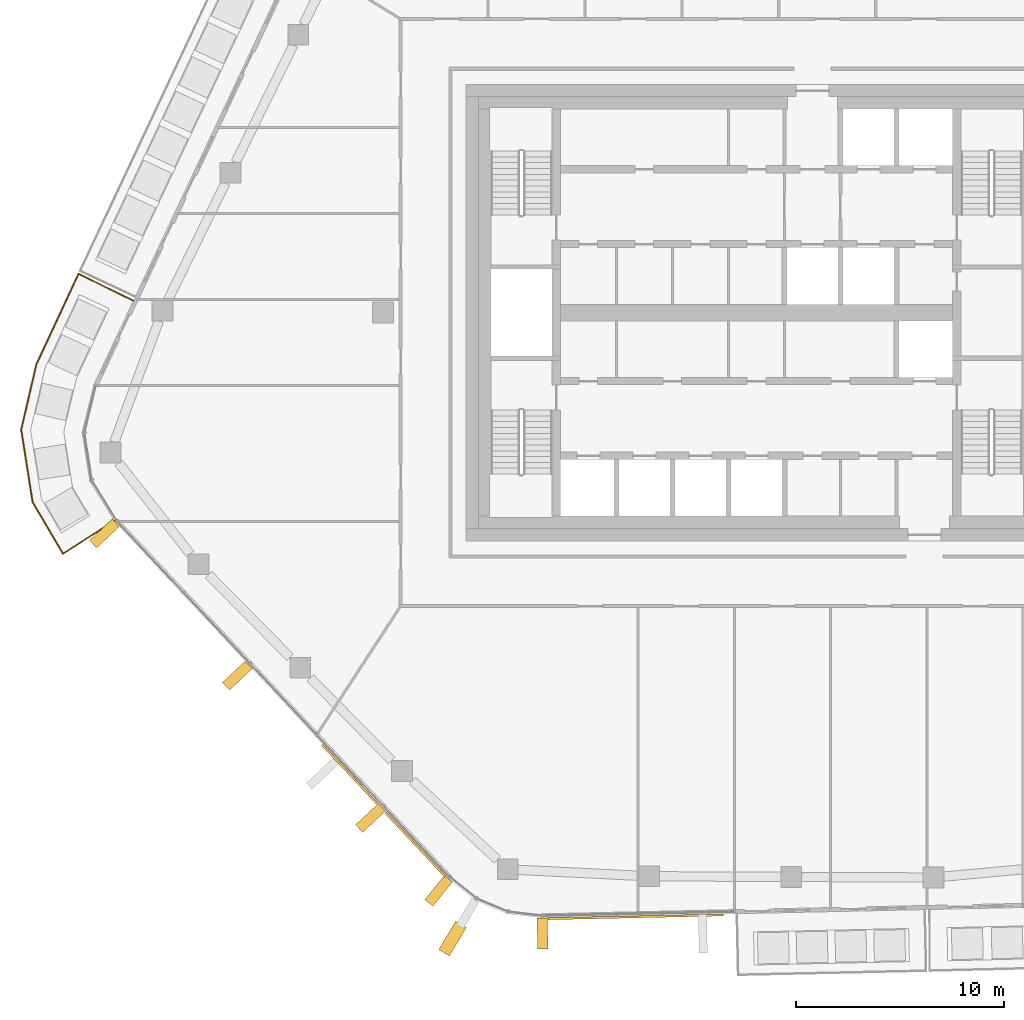
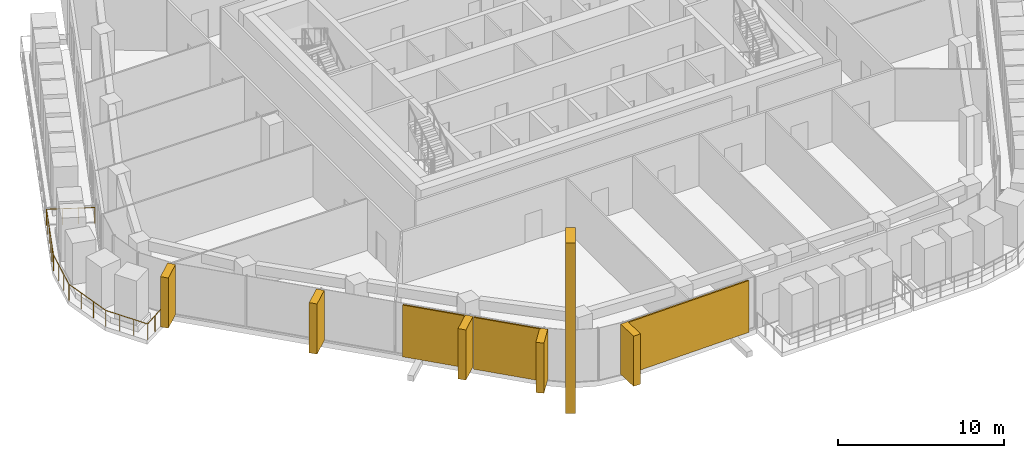
# One storey, part 18 of 24: 9 coverings, 1 railing, 3 elements without a shape of their own.
"""IFC4 building model written with IfcOpenShell, lengths in metres."""

from ifc_helpers import new_model, si_unit, direction, frame, origin, origin_2d, place, context, subcontext, project, spatial, rectangle, circle, extrude, material, layer, layer_set, material_profile, profile_set, type_object, element, aggregate, save


model = new_model("IFC4")

# Units and contexts
model_context = context("Model", 3, precision=1e-05, world=origin(), true_north=direction((0.0, 1.0)))
body_context = subcontext(model_context, "Body", "Model", "MODEL_VIEW")
ifc_project = project(units=[si_unit("LENGTHUNIT", "METRE"), si_unit("AREAUNIT", "SQUARE_METRE"), si_unit("VOLUMEUNIT", "CUBIC_METRE"), si_unit("PLANEANGLEUNIT", "RADIAN"), si_unit("MASSUNIT", "GRAM", prefix="KILO")], contexts=[model_context])

# Site, building, storey
site_placement = place(None, origin())
site = spatial("IfcSite", under=ifc_project, at=site_placement, CompositionType="ELEMENT")
building_placement = place(site_placement, origin())
building = spatial("IfcBuilding", under=site, at=building_placement, Name="Dongbaek Canopy Tower", CompositionType="ELEMENT")
storey_placement = place(building_placement, frame((0.0, 0.0, 332.0)))
storey = spatial("IfcBuildingStorey", under=building, at=storey_placement, Name="L71", CompositionType="ELEMENT", Elevation=332.0)

# Railing
ifc_material_1 = material(Name="Stainless steel", Category="steel")
railing_type = type_object("IfcRailingType", Name="Balcony balustrade 1200", PredefinedType="BALUSTRADE", material=ifc_material_1)
railing_placement = place(storey_placement, frame((-30.02685546875, 0.56884765625, 0.0)))
element("IfcRailing", 1, at=railing_placement, inside=storey, type_object=railing_type, Name="Balcony guard L71 7", PredefinedType="BALUSTRADE", context=body_context, shape_type="SweptSolid", body=[
    extrude(circle(Radius=0.02392578125, at=origin_2d()), frame((0.0, 0.0, 1.17578125), z_axis=(-0.896098023719, 0.443856206319, 0.0), x_axis=(-0.443856206319, -0.896098023719, 0.0)), (0.0, 0.0, 1.0), 2.9404296875),
    extrude(circle(Radius=0.02392578125, at=origin_2d()), frame((-2.635009765625, 1.30517578125, 1.17578125), z_axis=(-0.422749552382, -0.906246553627, 0.0), x_axis=(0.906246553627, -0.422749552382, 0.0)), (0.0, 0.0, 1.0), 4.818603515625),
    extrude(circle(Radius=0.02392578125, at=origin_2d()), frame((-4.672119140625, -3.061767578125, 1.17578125), z_axis=(-0.225701783137, -0.974196440708, 0.0), x_axis=(0.974196440708, -0.225701783137, 0.0)), (0.0, 0.0, 1.0), 3.238525390625),
    extrude(circle(Radius=0.02392578125, at=origin_2d()), frame((-5.403076171875, -6.216796875, 1.17578125), z_axis=(0.155536017693, -0.98783022185, 0.0), x_axis=(0.98783022185, 0.155536017693, 0.0)), (0.0, 0.0, 1.0), 3.527099609375),
    extrude(circle(Radius=0.02392578125, at=origin_2d()), frame((-4.8544921875, -9.700927734375, 1.17578125), z_axis=(0.50841134309, -0.861114339805, 0.0), x_axis=(0.861114339805, 0.50841134309, 0.0)), (0.0, 0.0, 1.0), 2.8974609375),
    extrude(circle(Radius=0.02392578125, at=origin_2d()), frame((-3.38134765625, -12.196044921875, 1.17578125), z_axis=(0.839921908377, 0.542707276373, 0.0), x_axis=(-0.542707276373, 0.839921908377, 0.0)), (0.0, 0.0, 1.0), 2.940673828125),
    extrude(circle(Radius=0.02099609375, at=origin_2d()), origin(), (0.0, 0.0, 1.0), 1.15185546875),
    extrude(circle(Radius=0.02099609375, at=origin_2d()), frame((-0.87841796875, 0.43505859375, 0.0)), (0.0, 0.0, 1.0), 1.15185546875),
    extrude(circle(Radius=0.02099609375, at=origin_2d()), frame((-1.756591796875, 0.8701171875, 0.0)), (0.0, 0.0, 1.0), 1.15185546875),
    extrude(circle(Radius=0.02099609375, at=origin_2d()), frame((-2.635009765625, 1.30517578125, 0.0)), (0.0, 0.0, 1.0), 1.15185546875),
    extrude(circle(Radius=0.02099609375, at=origin_2d()), frame((-3.04248046875, 0.431884765625, 0.0)), (0.0, 0.0, 1.0), 1.15185546875),
    extrude(circle(Radius=0.02099609375, at=origin_2d()), frame((-3.449951171875, -0.441650390625, 0.0)), (0.0, 0.0, 1.0), 1.15185546875),
    extrude(circle(Radius=0.02099609375, at=origin_2d()), frame((-3.857177734375, -1.31494140625, 0.0)), (0.0, 0.0, 1.0), 1.15185546875),
    extrude(circle(Radius=0.02099609375, at=origin_2d()), frame((-4.2646484375, -2.1884765625, 0.0)), (0.0, 0.0, 1.0), 1.15185546875),
    extrude(circle(Radius=0.02099609375, at=origin_2d()), frame((-4.672119140625, -3.061767578125, 0.0)), (0.0, 0.0, 1.0), 1.15185546875),
    extrude(circle(Radius=0.02099609375, at=origin_2d()), frame((-4.915771484375, -4.113525390625, 0.0)), (0.0, 0.0, 1.0), 1.15185546875),
    extrude(circle(Radius=0.02099609375, at=origin_2d()), frame((-5.159423828125, -5.1650390625, 0.0)), (0.0, 0.0, 1.0), 1.15185546875),
    extrude(circle(Radius=0.02099609375, at=origin_2d()), frame((-5.403076171875, -6.216796875, 0.0)), (0.0, 0.0, 1.0), 1.15185546875),
    extrude(circle(Radius=0.02099609375, at=origin_2d()), frame((-5.22021484375, -7.378173828125, 0.0)), (0.0, 0.0, 1.0), 1.15185546875),
    extrude(circle(Radius=0.02099609375, at=origin_2d()), frame((-5.037353515625, -8.53955078125, 0.0)), (0.0, 0.0, 1.0), 1.15185546875),
    extrude(circle(Radius=0.02099609375, at=origin_2d()), frame((-4.8544921875, -9.700927734375, 0.0)), (0.0, 0.0, 1.0), 1.15185546875),
    extrude(circle(Radius=0.02099609375, at=origin_2d()), frame((-4.363525390625, -10.53271484375, 0.0)), (0.0, 0.0, 1.0), 1.15185546875),
    extrude(circle(Radius=0.02099609375, at=origin_2d()), frame((-3.872314453125, -11.3642578125, 0.0)), (0.0, 0.0, 1.0), 1.15185546875),
    extrude(circle(Radius=0.02099609375, at=origin_2d()), frame((-3.38134765625, -12.196044921875, 0.0)), (0.0, 0.0, 1.0), 1.15185546875),
    extrude(circle(Radius=0.02099609375, at=origin_2d()), frame((-2.55810546875, -11.6640625, 0.0)), (0.0, 0.0, 1.0), 1.15185546875),
    extrude(circle(Radius=0.02099609375, at=origin_2d()), frame((-1.734619140625, -11.132080078125, 0.0)), (0.0, 0.0, 1.0), 1.15185546875),
    extrude(circle(Radius=0.02099609375, at=origin_2d()), frame((-0.911376953125, -10.60009765625, 0.0)), (0.0, 0.0, 1.0), 1.15185546875),
])

# Curtain wall, covering
ifc_material_2 = material(Name="Aluminium 6063-T6 pale anodised", Category="aluminium")
ifc_layer_1 = layer(ifc_material_2, 0.199951171875)
ifc_layer_set_1 = layer_set([ifc_layer_1], Name="CW-1 unitised tower curtain wall")
curtain_wall_type = type_object("IfcCurtainWallType", Name="CW-1 unitised tower curtain wall", PredefinedType="NOTDEFINED", material=ifc_layer_set_1)
curtain_wall_1_placement = place(storey_placement, origin())
curtain_wall_1 = element("IfcCurtainWall", 2, at=curtain_wall_1_placement, inside=storey, type_object=curtain_wall_type, Name="CW-1 curtain wall K4.1", PredefinedType="NOTDEFINED")
ifc_material_3 = material(Name="Aluminium 6063-T6 pale metal fin", Category="aluminium")
ifc_material_profile_1 = material_profile(ifc_material_3, rectangle(XDim=1.60009765625, YDim=0.60009765625, at=origin_2d()), Name="Corner fin CN1 600 x 1600 pale metal")
ifc_profile_set_1 = profile_set([ifc_material_profile_1], Name="Aluminium 6063-T6 pale metal fin")
covering_type_1 = type_object("IfcCoveringType", Name="Corner fin CN1 600 x 1600 pale metal", PredefinedType="CLADDING", material=ifc_profile_set_1)
covering_1_placement = place(storey_placement, frame((-14.645263671875, -30.170654296875, -0.18994140625), z_axis=(0.0, 0.0, 1.0), x_axis=(-0.513063436245, -0.85835069196, 0.0)))
covering_1 = element("IfcCovering", 3, at=covering_1_placement, type_object=covering_type_1, Name="Corner fin L71 L73 K4", PredefinedType="CLADDING", context=body_context, shape_type="SweptSolid", body=[
    extrude(rectangle(XDim=1.60009765625, YDim=0.60009765625, at=origin_2d()), origin(), (0.0, 0.0, 1.0), 12.579833984375),
])

# Curtain wall, coverings
curtain_wall_2_placement = place(storey_placement, origin())
curtain_wall_2 = element("IfcCurtainWall", 4, at=curtain_wall_2_placement, inside=storey, type_object=curtain_wall_type, Name="CW-1 curtain wall F3.1", PredefinedType="NOTDEFINED")
ifc_material_4 = material(Name="Perforated aluminium 6063-T6 pale metal screen", Category="aluminium")
ifc_layer_2 = layer(ifc_material_4, 0.10009765625)
ifc_layer_set_2 = layer_set([ifc_layer_2], Name="Facet screen FS1 100 pale metal")
covering_type_2 = type_object("IfcCoveringType", Name="Facet screen FS1 100 pale metal", PredefinedType="CLADDING", material=ifc_layer_set_2)
covering_2_placement = place(storey_placement, frame((-19.60791015625, -22.248291015625, 0.0), z_axis=(0.0, 0.0, 1.0), x_axis=(0.682978063004, -0.730438885503, 0.0)))
covering_2 = element("IfcCovering", 5, at=covering_2_placement, type_object=covering_type_2, Name="Facet screen L71 F3", PredefinedType="CLADDING", context=body_context, shape_type="SweptSolid", body=[
    extrude(rectangle(XDim=3.873779296875, YDim=0.10009765625, at=origin_2d()), origin(), (0.0, 0.0, 1.0), 3.820068359375),
])
covering_3_placement = place(storey_placement, frame((-16.4453125, -25.63037109375, 0.0), z_axis=(0.0, 0.0, 1.0), x_axis=(0.682978063004, -0.730438885503, 0.0)))
covering_3 = element("IfcCovering", 6, at=covering_3_placement, type_object=covering_type_2, Name="Facet screen L71 F3", PredefinedType="CLADDING", context=body_context, shape_type="SweptSolid", body=[
    extrude(rectangle(XDim=4.22705078125, YDim=0.10009765625, at=origin_2d()), origin(), (0.0, 0.0, 1.0), 3.820068359375),
])

# Curtain wall, covering
curtain_wall_3_placement = place(storey_placement, origin())
curtain_wall_3 = element("IfcCurtainWall", 7, at=curtain_wall_3_placement, inside=storey, type_object=curtain_wall_type, Name="CW-1 curtain wall F4.1", PredefinedType="NOTDEFINED")
covering_4_placement = place(storey_placement, frame((-5.8095703125, -29.12158203125, 0.0), z_axis=(0.0, 0.0, 1.0), x_axis=(0.999765063267, 0.021675291709, 0.0)))
covering_4 = element("IfcCovering", 8, at=covering_4_placement, type_object=covering_type_2, Name="Facet screen L71 F4", PredefinedType="CLADDING", context=body_context, shape_type="SweptSolid", body=[
    extrude(rectangle(XDim=8.45458984375, YDim=0.10009765625, at=origin_2d()), origin(), (0.0, 0.0, 1.0), 3.820068359375),
])

# Covering
ifc_material_5 = material(Name="Aluminium 6063-T6 pale metal fin", Category="aluminium")
ifc_material_profile_2 = material_profile(ifc_material_5, rectangle(XDim=1.5, YDim=0.5, at=origin_2d()), Name="Fin FN1 500 x 1500 pale metal")
ifc_profile_set_2 = profile_set([ifc_material_profile_2], Name="Aluminium 6063-T6 pale metal fin")
covering_type_3 = type_object("IfcCoveringType", Name="Fin FN1 500 x 1500 pale metal", PredefinedType="CLADDING", material=ifc_profile_set_2)
covering_5_placement = place(storey_placement, frame((-31.421630859375, -10.644287109375, 0.1201171875), z_axis=(0.0, 0.0, 1.0), x_axis=(-0.730438386022, -0.682978597195, 0.0)))
covering_5 = element("IfcCovering", 9, at=covering_5_placement, type_object=covering_type_3, Name="Fin F3.1.1", PredefinedType="CLADDING", context=body_context, shape_type="SweptSolid", body=[
    extrude(rectangle(XDim=1.5, YDim=0.5, at=origin_2d()), origin(), (0.0, 0.0, 1.0), 3.699951171875),
])

covering_6_placement = place(storey_placement, frame((-25.0146484375, -17.496337890625, 0.1201171875), z_axis=(0.0, 0.0, 1.0), x_axis=(-0.730438386022, -0.682978597195, 0.0)))
covering_6 = element("IfcCovering", 10, at=covering_6_placement, type_object=covering_type_3, Name="Fin F3.1.3", PredefinedType="CLADDING", context=body_context, shape_type="SweptSolid", body=[
    extrude(rectangle(XDim=1.5, YDim=0.5, at=origin_2d()), origin(), (0.0, 0.0, 1.0), 3.699951171875),
])

covering_7_placement = place(storey_placement, frame((-18.60107421875, -24.355712890625, 0.1201171875), z_axis=(0.0, 0.0, 1.0), x_axis=(-0.730438386022, -0.682978597195, 0.0)))
covering_7 = element("IfcCovering", 11, at=covering_7_placement, type_object=covering_type_3, Name="Fin F3.1.5", PredefinedType="CLADDING", context=body_context, shape_type="SweptSolid", body=[
    extrude(rectangle(XDim=1.5, YDim=0.5, at=origin_2d()), origin(), (0.0, 0.0, 1.0), 3.699951171875),
])

aggregate(curtain_wall_2, [covering_5, covering_6, covering_7, covering_2, covering_3])

covering_8_placement = place(storey_placement, frame((-15.31201171875, -27.861083984375, 0.1201171875), z_axis=(0.0, 0.0, 1.0), x_axis=(-0.62790365063, -0.778291080204, 0.0)))
covering_8 = element("IfcCovering", 12, at=covering_8_placement, type_object=covering_type_3, Name="Fin K4.1.1", PredefinedType="CLADDING", context=body_context, shape_type="SweptSolid", body=[
    extrude(rectangle(XDim=1.5, YDim=0.5, at=origin_2d()), origin(), (0.0, 0.0, 1.0), 3.699951171875),
])

aggregate(curtain_wall_1, [covering_8, covering_1])

covering_9_placement = place(storey_placement, frame((-10.310546875, -29.92333984375, 0.1201171875), z_axis=(0.0, 0.0, 1.0), x_axis=(0.021675843976, -0.999765051294, 0.0)))
covering_9 = element("IfcCovering", 13, at=covering_9_placement, type_object=covering_type_3, Name="Fin F4.1.1", PredefinedType="CLADDING", context=body_context, shape_type="SweptSolid", body=[
    extrude(rectangle(XDim=1.5, YDim=0.5, at=origin_2d()), origin(), (0.0, 0.0, 1.0), 3.699951171875),
])

aggregate(curtain_wall_3, [covering_9, covering_4])

save(model, "model.ifc")
